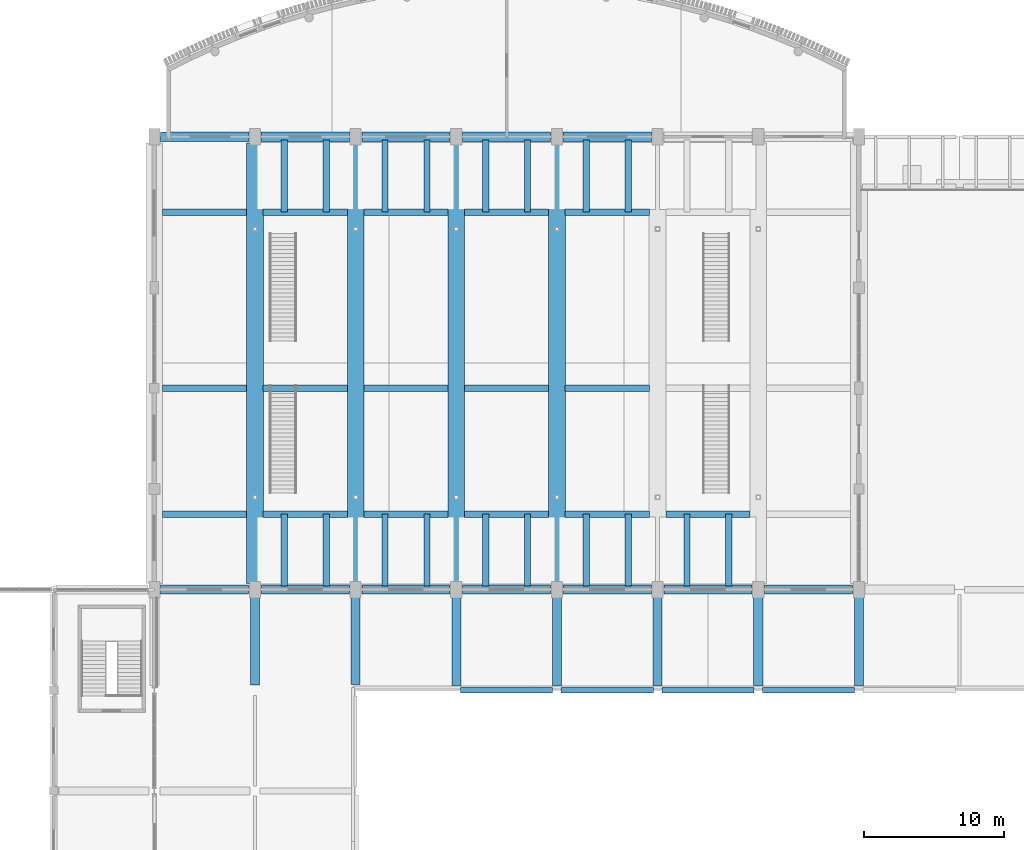
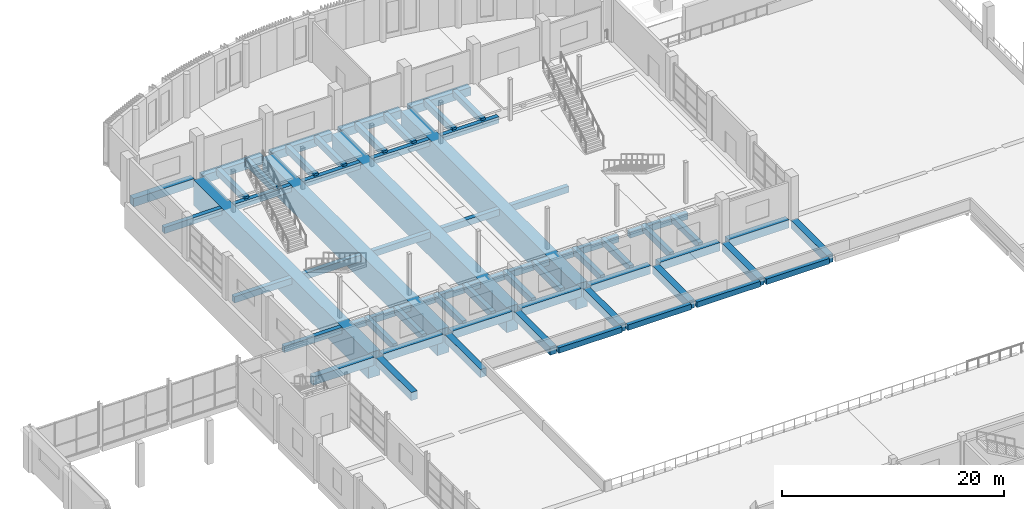
# One storey, part 35 of 82: 61 beams.
"""IFC4 building model written with IfcOpenShell, lengths in metres."""

from ifc_helpers import new_model, si_unit, direction, frame, origin, origin_2d, place, context, subcontext, project, spatial, rectangle, extrude, material, material_profile, profile_set, type_object, element, save


model = new_model("IFC4")

# Units and contexts
model_context = context("Model", 3, precision=1e-05, world=origin(), true_north=direction((0.0, 1.0)))
body_context = subcontext(model_context, "Body", "Model", "MODEL_VIEW")
ifc_project = project(units=[si_unit("LENGTHUNIT", "METRE"), si_unit("AREAUNIT", "SQUARE_METRE"), si_unit("VOLUMEUNIT", "CUBIC_METRE"), si_unit("PLANEANGLEUNIT", "RADIAN"), si_unit("MASSUNIT", "GRAM", prefix="KILO")], contexts=[model_context])

# Site, building, storey
site_placement = place(None, origin())
site = spatial("IfcSite", under=ifc_project, at=site_placement, CompositionType="ELEMENT")
building_placement = place(site_placement, origin())
building = spatial("IfcBuilding", under=site, at=building_placement, Name="Sardonyx Promenade Sports Hall", CompositionType="ELEMENT")
storey_placement = place(building_placement, frame((0.0, 0.0, 11.199951171875)))
storey = spatial("IfcBuildingStorey", under=building, at=storey_placement, Name="L02", CompositionType="ELEMENT", Elevation=11.199951171875)

# Beams
ifc_material_1 = material(Name="Concrete C50/60", Category="concrete")
ifc_material_profile_1 = material_profile(ifc_material_1, rectangle(XDim=0.64990234375, YDim=0.89990234375, at=origin_2d()))
ifc_profile_set_1 = profile_set([ifc_material_profile_1], Name="Concrete C50/60")
beam_type_1 = type_object("IfcBeamType", Name="Bm_Girder_RC900", PredefinedType="BEAM", material=ifc_profile_set_1)
for number, where, z_axis, x_axis, name in (
    (1, (29.2451171875, 104.39990234375, -0.449951171875), (1.0, 0.0, 0.0), (0.0, 1.0, 0.0), "North stand pier girder L02 #40"),
    (2, (36.445068359375, 104.39990234375, -0.449951171875), (1.0, 0.0, 0.0), (0.0, 1.0, 0.0), "North stand pier girder L02 #41"),
):
    element("IfcBeam", number, at=place(storey_placement, frame(where, z_axis=z_axis, x_axis=x_axis)), inside=storey, type_object=beam_type_1, Name=name, PredefinedType="BEAM", context=body_context, shape_type="SweptSolid", body=[
        extrude(rectangle(XDim=0.64990234375, YDim=0.89990234375, at=origin_2d()), origin(), (0.0, 0.0, 1.0), 6.309814453125),
    ])
for number, where, z_axis, x_axis, name in (
    (3, (43.64501953125, 104.39990234375, -0.449951171875), (1.0, 0.0, 0.0), (0.0, 1.0, 0.0), "North stand pier girder L02 #42"),
    (4, (50.844970703125, 104.39990234375, -0.449951171875), (1.0, 0.0, 0.0), (0.0, 1.0, 0.0), "North stand pier girder L02 #43"),
    (5, (58.044921875, 104.39990234375, -0.449951171875), (1.0, 0.0, 0.0), (0.0, 1.0, 0.0), "North stand pier girder L02 #44"),
):
    element("IfcBeam", number, at=place(storey_placement, frame(where, z_axis=z_axis, x_axis=x_axis)), inside=storey, type_object=beam_type_1, Name=name, PredefinedType="BEAM", context=body_context, shape_type="SweptSolid", body=[
        extrude(rectangle(XDim=0.64990234375, YDim=0.89990234375, at=origin_2d()), origin(), (0.0, 0.0, 1.0), 6.31005859375),
    ])
for number, where, z_axis, x_axis, name in (
    (6, (29.25, 72.0, -0.449951171875), (1.0, 0.0, 0.0), (0.0, 1.0, 0.0), "Beam BG03 L02 #551"),
    (7, (36.449951171875, 72.0, -0.449951171875), (1.0, 0.0, 0.0), (0.0, 1.0, 0.0), "Beam BG03 L02 #552"),
    (8, (43.64990234375, 72.0, -0.449951171875), (1.0, 0.0, 0.0), (0.0, 1.0, 0.0), "Beam BG03 L02 #553"),
):
    element("IfcBeam", number, at=place(storey_placement, frame(where, z_axis=z_axis, x_axis=x_axis)), inside=storey, type_object=beam_type_1, Name=name, PredefinedType="BEAM", context=body_context, shape_type="SweptSolid", body=[
        extrude(rectangle(XDim=0.64990234375, YDim=0.89990234375, at=origin_2d()), origin(), (0.0, 0.0, 1.0), 6.300048828125),
    ])
beam_1_placement = place(storey_placement, frame((50.85009765625, 72.0, -0.449951171875), z_axis=(1.0, 0.0, 0.0), x_axis=(0.0, 1.0, 0.0)))
element("IfcBeam", 9, at=beam_1_placement, inside=storey, type_object=beam_type_1, Name="Beam BG03 L02 #554", PredefinedType="BEAM", context=body_context, shape_type="SweptSolid", body=[
    extrude(rectangle(XDim=0.64990234375, YDim=0.89990234375, at=origin_2d()), origin(), (0.0, 0.0, 1.0), 6.2998046875),
])
for number, where, z_axis, x_axis, name in (
    (10, (58.050048828125, 72.0, -0.449951171875), (1.0, 0.0, 0.0), (0.0, 1.0, 0.0), "Beam BG03 L02 #555"),
    (11, (65.25, 72.0, -0.449951171875), (1.0, 0.0, 0.0), (0.0, 1.0, 0.0), "Beam BG03 L02 #556"),
    (12, (72.449951171875, 72.0, -0.449951171875), (1.0, 0.0, 0.0), (0.0, 1.0, 0.0), "Beam BG03 L02 #557"),
):
    element("IfcBeam", number, at=place(storey_placement, frame(where, z_axis=z_axis, x_axis=x_axis)), inside=storey, type_object=beam_type_1, Name=name, PredefinedType="BEAM", context=body_context, shape_type="SweptSolid", body=[
        extrude(rectangle(XDim=0.64990234375, YDim=0.89990234375, at=origin_2d()), origin(), (0.0, 0.0, 1.0), 6.300048828125),
    ])
beam_2_placement = place(storey_placement, frame((36.0, 65.175048828125, -0.449951171875), z_axis=(0.0, 1.0, 0.0), x_axis=(-1.0, 0.0, 0.0)))
element("IfcBeam", 13, at=beam_2_placement, inside=storey, type_object=beam_type_1, Name="Beam BG03 L02 #591", PredefinedType="BEAM", context=body_context, shape_type="SweptSolid", body=[
    extrude(rectangle(XDim=0.64990234375, YDim=0.89990234375, at=origin_2d()), origin(), (0.0, 0.0, 1.0), 6.375),
])
beam_3_placement = place(storey_placement, frame((43.199951171875, 65.199951171875, -0.449951171875), z_axis=(0.0, 1.0, 0.0), x_axis=(-1.0, 0.0, 0.0)))
element("IfcBeam", 14, at=beam_3_placement, inside=storey, type_object=beam_type_1, Name="Beam BG03 L02 #601", PredefinedType="BEAM", context=body_context, shape_type="SweptSolid", body=[
    extrude(rectangle(XDim=0.64990234375, YDim=0.89990234375, at=origin_2d()), origin(), (0.0, 0.0, 1.0), 6.35009765625),
])
for number, where, z_axis, x_axis, name in (
    (15, (50.39990234375, 65.10009765625, -0.449951171875), (0.0, 1.0, 0.0), (-1.0, 0.0, 0.0), "Beam BG03 L02 #602"),
    (16, (57.60009765625, 65.10009765625, -0.449951171875), (0.0, 1.0, 0.0), (-1.0, 0.0, 0.0), "Beam BG03 L02 #609"),
    (17, (64.800048828125, 65.10009765625, -0.449951171875), (0.0, 1.0, 0.0), (-1.0, 0.0, 0.0), "Beam BG03 L02 #610"),
    (18, (72.0, 65.10009765625, -0.449951171875), (0.0, 1.0, 0.0), (-1.0, 0.0, 0.0), "Beam BG03 L02 #617"),
    (19, (79.199951171875, 65.10009765625, -0.449951171875), (0.0, 1.0, 0.0), (-1.0, 0.0, 0.0), "Beam BG03 L02 #618"),
):
    element("IfcBeam", number, at=place(storey_placement, frame(where, z_axis=z_axis, x_axis=x_axis)), inside=storey, type_object=beam_type_1, Name=name, PredefinedType="BEAM", context=body_context, shape_type="SweptSolid", body=[
        extrude(rectangle(XDim=0.64990234375, YDim=0.89990234375, at=origin_2d()), origin(), (0.0, 0.0, 1.0), 6.449951171875),
    ])
ifc_material_2 = material(Name="Post-tensioned concrete C50/60", Category="concrete")
ifc_material_profile_2 = material_profile(ifc_material_2, rectangle(XDim=1.199951171875, YDim=2.800048828125, at=origin_2d()))
ifc_profile_set_2 = profile_set([ifc_material_profile_2], Name="Post-tensioned concrete C50/60")
beam_type_2 = type_object("IfcBeamType", Name="Bm_PT_Transfer_32m", PredefinedType="USERDEFINED", material=ifc_profile_set_2)
for number, where, z_axis, x_axis, name in (
    (20, (36.0, 72.449951171875, -1.39990234375), (0.0, 1.0, 0.0), (-1.0, 0.0, 0.0), "Post-tensioned transfer girder PTG1 Grid 6"),
    (21, (43.199951171875, 72.449951171875, -1.39990234375), (0.0, 1.0, 0.0), (-1.0, 0.0, 0.0), "Post-tensioned transfer girder PTG1 Grid 7"),
    (22, (50.39990234375, 72.449951171875, -1.39990234375), (0.0, 1.0, 0.0), (-1.0, 0.0, 0.0), "Post-tensioned transfer girder PTG1 Grid 8"),
    (23, (57.60009765625, 72.449951171875, -1.39990234375), (0.0, 1.0, 0.0), (-1.0, 0.0, 0.0), "Post-tensioned transfer girder PTG1 Grid 9"),
):
    element("IfcBeam", number, at=place(storey_placement, frame(where, z_axis=z_axis, x_axis=x_axis)), inside=storey, type_object=beam_type_2, Name=name, ObjectType="TRANSFER GIRDER", PredefinedType="USERDEFINED", context=body_context, shape_type="SweptSolid", body=[
        extrude(rectangle(XDim=1.199951171875, YDim=2.800048828125, at=origin_2d()), origin(), (0.0, 0.0, 1.0), 31.5),
    ])
ifc_material_3 = material(Name="Concrete C40/50", Category="concrete")
ifc_material_profile_3 = material_profile(ifc_material_3, rectangle(XDim=0.449951171875, YDim=0.699951171875, at=origin_2d()))
ifc_profile_set_3 = profile_set([ifc_material_profile_3], Name="Concrete C40/50")
beam_type_3 = type_object("IfcBeamType", Name="Bm_Primary_RC700", PredefinedType="BEAM", material=ifc_profile_set_3)
for number, where, z_axis, x_axis, name in (
    (24, (29.389892578125, 77.39990234375, -0.349853515625), (1.0, 0.0, 0.0), (0.0, 1.0, 0.0), "Arena transverse beam #2"),
    (25, (29.389892578125, 86.39990234375, -0.349853515625), (1.0, 0.0, 0.0), (0.0, 1.0, 0.0), "Arena transverse beam #3"),
    (26, (29.389892578125, 99.0, -0.349853515625), (1.0, 0.0, 0.0), (0.0, 1.0, 0.0), "Arena transverse beam #4"),
    (27, (36.590087890625, 77.39990234375, -0.349853515625), (1.0, 0.0, 0.0), (0.0, 1.0, 0.0), "Arena transverse beam #6"),
    (28, (36.590087890625, 86.39990234375, -0.349853515625), (1.0, 0.0, 0.0), (0.0, 1.0, 0.0), "Arena transverse beam #7"),
    (29, (36.590087890625, 99.0, -0.349853515625), (1.0, 0.0, 0.0), (0.0, 1.0, 0.0), "Arena transverse beam #8"),
    (30, (43.7900390625, 77.39990234375, -0.349853515625), (1.0, 0.0, 0.0), (0.0, 1.0, 0.0), "Arena transverse beam #10"),
    (31, (43.7900390625, 86.39990234375, -0.349853515625), (1.0, 0.0, 0.0), (0.0, 1.0, 0.0), "Arena transverse beam #11"),
    (32, (43.7900390625, 99.0, -0.349853515625), (1.0, 0.0, 0.0), (0.0, 1.0, 0.0), "Arena transverse beam #12"),
    (33, (50.989990234375, 77.39990234375, -0.349853515625), (1.0, 0.0, 0.0), (0.0, 1.0, 0.0), "Arena transverse beam #14"),
    (34, (50.989990234375, 86.39990234375, -0.349853515625), (1.0, 0.0, 0.0), (0.0, 1.0, 0.0), "Arena transverse beam #15"),
    (35, (50.989990234375, 99.0, -0.349853515625), (1.0, 0.0, 0.0), (0.0, 1.0, 0.0), "Arena transverse beam #16"),
    (36, (58.18994140625, 77.39990234375, -0.349853515625), (1.0, 0.0, 0.0), (0.0, 1.0, 0.0), "Arena transverse beam #18"),
    (37, (58.18994140625, 86.39990234375, -0.349853515625), (1.0, 0.0, 0.0), (0.0, 1.0, 0.0), "Arena transverse beam #19"),
    (38, (58.18994140625, 99.0, -0.349853515625), (1.0, 0.0, 0.0), (0.0, 1.0, 0.0), "Arena transverse beam #20"),
    (39, (65.389892578125, 77.39990234375, -0.349853515625), (1.0, 0.0, 0.0), (0.0, 1.0, 0.0), "Arena transverse beam #22"),
):
    element("IfcBeam", number, at=place(storey_placement, frame(where, z_axis=z_axis, x_axis=x_axis)), inside=storey, type_object=beam_type_3, Name=name, PredefinedType="BEAM", context=body_context, shape_type="SweptSolid", body=[
        extrude(rectangle(XDim=0.449951171875, YDim=0.699951171875, at=origin_2d()), origin(), (0.0, 0.0, 1.0), 6.02001953125),
    ])
ifc_material_4 = material(Name="Concrete C40/50", Category="concrete")
ifc_material_profile_4 = material_profile(ifc_material_4, rectangle(XDim=0.449951171875, YDim=0.699951171875, at=origin_2d()))
ifc_profile_set_4 = profile_set([ifc_material_profile_4], Name="Concrete C40/50")
beam_type_4 = type_object("IfcBeamType", Name="Bm_Raker_Stand", PredefinedType="BEAM", material=ifc_profile_set_4)
for number, where, z_axis, x_axis, name in (
    (40, (38.10009765625, 77.39990234375, -0.099853515625), (0.0, -0.999992444297, 0.003887331963), (1.0, 0.0, 0.0), "Stand raker beam lower S #1-1"),
    (41, (41.10009765625, 77.39990234375, -0.099853515625), (0.0, -0.999992444297, 0.003887331963), (1.0, 0.0, 0.0), "Stand raker beam lower S #1-2"),
    (42, (38.10009765625, 99.0, -0.099853515625), (0.0, 0.999992444297, 0.003887331963), (-1.0, 0.0, 0.0), "Stand raker beam lower N #1-1"),
    (43, (41.10009765625, 99.0, -0.099853515625), (0.0, 0.999992444297, 0.003887331963), (-1.0, 0.0, 0.0), "Stand raker beam lower N #1-2"),
    (44, (45.300048828125, 77.39990234375, -0.099853515625), (0.0, -0.999992444297, 0.003887331963), (1.0, 0.0, 0.0), "Stand raker beam lower S #2-1"),
    (45, (48.300048828125, 77.39990234375, -0.099853515625), (0.0, -0.999992444297, 0.003887331963), (1.0, 0.0, 0.0), "Stand raker beam lower S #2-2"),
    (46, (45.300048828125, 99.0, -0.099853515625), (0.0, 0.999992444297, 0.003887331963), (-1.0, 0.0, 0.0), "Stand raker beam lower N #2-1"),
    (47, (48.300048828125, 99.0, -0.099853515625), (0.0, 0.999992444297, 0.003887331963), (-1.0, 0.0, 0.0), "Stand raker beam lower N #2-2"),
    (48, (52.5, 77.39990234375, -0.099853515625), (0.0, -0.999992444297, 0.003887331963), (1.0, 0.0, 0.0), "Stand raker beam lower S #3-1"),
    (49, (55.5, 77.39990234375, -0.099853515625), (0.0, -0.999992444297, 0.003887331963), (1.0, 0.0, 0.0), "Stand raker beam lower S #3-2"),
    (50, (52.5, 99.0, -0.099853515625), (0.0, 0.999992444297, 0.003887331963), (-1.0, 0.0, 0.0), "Stand raker beam lower N #3-1"),
    (51, (55.5, 99.0, -0.099853515625), (0.0, 0.999992444297, 0.003887331963), (-1.0, 0.0, 0.0), "Stand raker beam lower N #3-2"),
    (52, (59.699951171875, 77.39990234375, -0.099853515625), (0.0, -0.999992444297, 0.003887331963), (1.0, 0.0, 0.0), "Stand raker beam lower S #4-1"),
    (53, (62.699951171875, 77.39990234375, -0.099853515625), (0.0, -0.999992444297, 0.003887331963), (1.0, 0.0, 0.0), "Stand raker beam lower S #4-2"),
    (54, (59.699951171875, 99.0, -0.099853515625), (0.0, 0.999992444297, 0.003887331963), (-1.0, 0.0, 0.0), "Stand raker beam lower N #4-1"),
    (55, (62.699951171875, 99.0, -0.099853515625), (0.0, 0.999992444297, 0.003887331963), (-1.0, 0.0, 0.0), "Stand raker beam lower N #4-2"),
    (56, (66.89990234375, 77.39990234375, -0.099853515625), (0.0, -0.999992444297, 0.003887331963), (1.0, 0.0, 0.0), "Stand raker beam lower S #5-1"),
    (57, (69.89990234375, 77.39990234375, -0.099853515625), (0.0, -0.999992444297, 0.003887331963), (1.0, 0.0, 0.0), "Stand raker beam lower S #5-2"),
):
    element("IfcBeam", number, at=place(storey_placement, frame(where, z_axis=z_axis, x_axis=x_axis)), inside=storey, type_object=beam_type_4, Name=name, PredefinedType="BEAM", context=body_context, shape_type="SweptSolid", body=[
        extrude(rectangle(XDim=0.449951171875, YDim=0.699951171875, at=origin_2d()), origin(), (0.0, 0.0, 1.0), 5.14990234375),
    ])
ifc_material_5 = material(Name="Concrete C40/50", Category="concrete")
ifc_material_profile_5 = material_profile(ifc_material_5, rectangle(XDim=0.39990234375, YDim=0.60009765625, at=origin_2d()))
ifc_profile_set_5 = profile_set([ifc_material_profile_5], Name="Concrete C40/50")
beam_type_5 = type_object("IfcBeamType", Name="Bm_Spandrel_RC600", PredefinedType="SPANDREL", material=ifc_profile_set_5)
for number, where, z_axis, x_axis, name in (
    (58, (50.699951171875, 64.800048828125, -0.300048828125), (1.0, 0.0, 0.0), (0.0, 1.0, 0.0), "Beam SPB1 L02 #542"),
    (59, (57.89990234375, 64.800048828125, -0.300048828125), (1.0, 0.0, 0.0), (0.0, 1.0, 0.0), "Beam SPB1 L02 #543"),
):
    element("IfcBeam", number, at=place(storey_placement, frame(where, z_axis=z_axis, x_axis=x_axis)), inside=storey, type_object=beam_type_5, Name=name, PredefinedType="SPANDREL", context=body_context, shape_type="SweptSolid", body=[
        extrude(rectangle(XDim=0.39990234375, YDim=0.60009765625, at=origin_2d()), origin(), (0.0, 0.0, 1.0), 6.60009765625),
    ])
for number, where, z_axis, x_axis, name in (
    (60, (65.10009765625, 64.800048828125, -0.300048828125), (1.0, 0.0, 0.0), (0.0, 1.0, 0.0), "Beam SPB1 L02 #544"),
    (61, (72.300048828125, 64.800048828125, -0.300048828125), (1.0, 0.0, 0.0), (0.0, 1.0, 0.0), "Beam SPB1 L02 #545"),
):
    element("IfcBeam", number, at=place(storey_placement, frame(where, z_axis=z_axis, x_axis=x_axis)), inside=storey, type_object=beam_type_5, Name=name, PredefinedType="SPANDREL", context=body_context, shape_type="SweptSolid", body=[
        extrude(rectangle(XDim=0.39990234375, YDim=0.60009765625, at=origin_2d()), origin(), (0.0, 0.0, 1.0), 6.599853515625),
    ])

save(model, "model.ifc")
